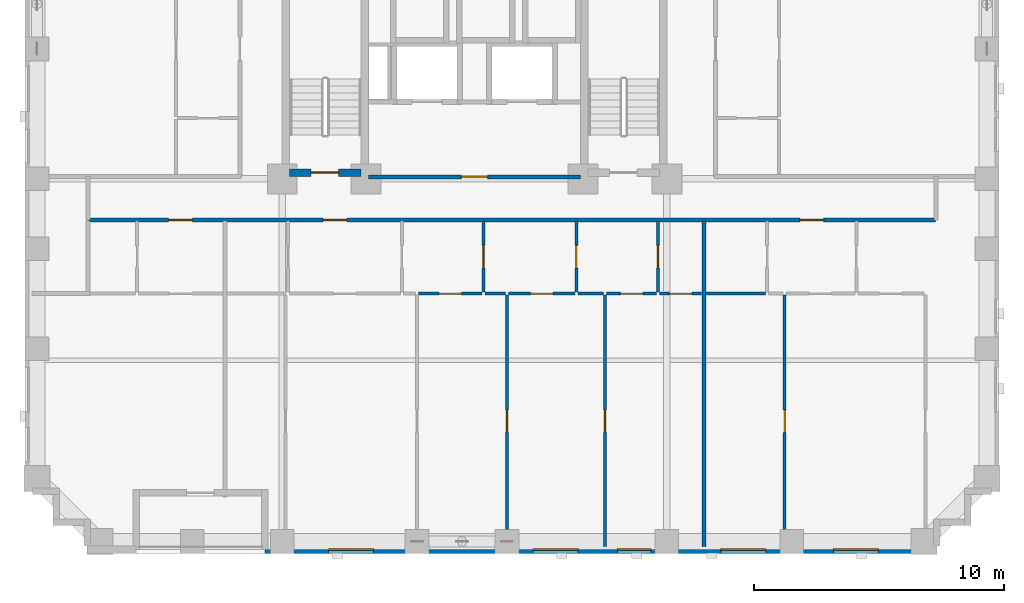
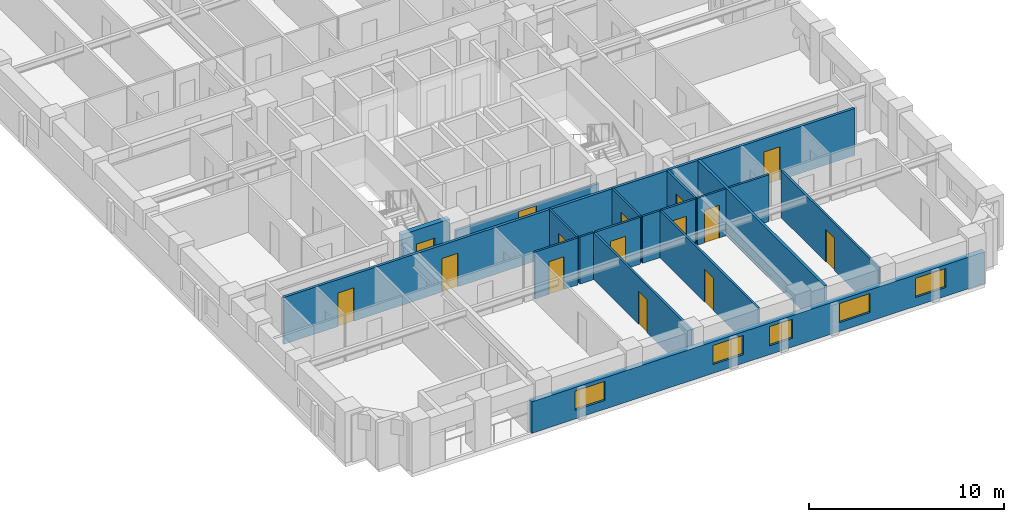
# One storey, part 3 of 13: 18 walls, 15 doors, 5 windows, 20 openings.
"""IFC4 building model written with IfcOpenShell, lengths in metres."""

from ifc_helpers import new_model, si_unit, derived_unit, direction, frame, frame_2d, origin, place, context, subcontext, project, spatial, rectangle, extrude, material, layer, layer_set, type_object, element, fill, save


model = new_model("IFC4")

# Units and contexts
model_context = context("Model", 3, precision=1e-05, world=origin(), true_north=direction((0.0, 1.0)))
body_context = subcontext(model_context, "Body", "Model", "MODEL_VIEW")
ifc_project = project(units=[si_unit("LENGTHUNIT", "METRE"), si_unit("AREAUNIT", "SQUARE_METRE"), si_unit("VOLUMEUNIT", "CUBIC_METRE"), si_unit("PLANEANGLEUNIT", "RADIAN"), si_unit("MASSUNIT", "GRAM", prefix="KILO"), derived_unit("THERMALTRANSMITTANCEUNIT", [(si_unit("MASSUNIT", "GRAM", prefix="KILO"), 1), (si_unit("TIMEUNIT", "SECOND"), -3), (si_unit("THERMODYNAMICTEMPERATUREUNIT", "KELVIN"), -1)])], contexts=[model_context])

# Site, building, storey
site_placement = place(None, origin())
site = spatial("IfcSite", under=ifc_project, at=site_placement, CompositionType="ELEMENT")
building_placement = place(site_placement, origin())
building = spatial("IfcBuilding", under=site, at=building_placement, Name="Korrvale Station Residences", CompositionType="ELEMENT")
storey_placement = place(building_placement, frame((0.0, 0.0, 35.39990234375)))
storey = spatial("IfcBuildingStorey", under=building, at=storey_placement, Name="L08", CompositionType="ELEMENT", Elevation=35.39990234375)

# Wall, opening, door
ifc_material_1 = material(Name="Concrete C70/85", Category="concrete")
ifc_layer_1 = layer(ifc_material_1, 0.300048828125, Name="Concrete C70/85")
ifc_layer_set_1 = layer_set([ifc_layer_1], Name="Concrete C70/85")
wall_type_1 = type_object("IfcWallType", Name="WAL-CORE-300-C70", PredefinedType="SHEAR", material=ifc_layer_set_1)
wall_1_placement = place(storey_placement, frame((18.10009765625, 15.25, 0.0), z_axis=(0.0, 0.0, 1.0), x_axis=(1.0, 0.0, 0.0)))
wall_1 = element("IfcWall", 1, at=wall_1_placement, inside=storey, type_object=wall_type_1, Name="L08 ST-1 Core Shear Wall South", PredefinedType="SHEAR", context=body_context, shape_type="SweptSolid", body=[
    extrude(rectangle(XDim=2.849853515625, YDim=0.300048828125, at=frame_2d((1.4248046875, 0.0))), origin(), (0.0, 0.0, 1.0), 2.940185546875),
])
opening_1_placement = place(wall_1_placement, frame((0.860107421875, 0.0, 0.0)))
opening_1 = element("IfcOpeningElement", 2, at=opening_1_placement, cuts=wall_1, Name="Opening SD-1100", PredefinedType="OPENING", context=body_context, shape_type="SweptSolid", body=[
    extrude(rectangle(XDim=1.10009765625, YDim=2.050048828125, at=frame_2d((0.550048828125, 1.02490234375))), frame((0.0, 0.16015625, 0.0), z_axis=(0.0, -1.0, 0.0), x_axis=(1.0, 0.0, 0.0)), (0.0, 0.0, 1.0), 0.320068359375),
])
ifc_material_2 = material(Name="Hollow-metal fire-rated stair door with closer", Category="steel")
door_type_1 = type_object("IfcDoorType", Name="DR-STAIR-1100", OperationType="NOTDEFINED", PredefinedType="DOOR", material=ifc_material_2)
door_1_placement = place(opening_1_placement, origin())
door_1 = element("IfcDoor", 3, at=door_1_placement, inside=storey, type_object=door_type_1, Name="L08 ST-1 Exit Stair Door", OperationType="SINGLE_SWING_LEFT", OverallHeight=2.050048828125, OverallWidth=1.10009765625, PredefinedType="DOOR", context=body_context, shape_type="SweptSolid", body=[
    extrude(rectangle(XDim=1.10009765625, YDim=2.050048828125, at=frame_2d((0.550048828125, 1.02490234375))), frame((0.0, 0.02490234375, 0.0), z_axis=(0.0, -1.0, 0.0), x_axis=(1.0, 0.0, 0.0)), (0.0, 0.0, 1.0), 0.050048828125),
])
fill(opening_1, door_1)

# Wall, openings, windows
ifc_material_3 = material(Name="Precast concrete C45/55", Category="concrete")
ifc_layer_2 = layer(ifc_material_3, 0.300048828125, Name="Precast concrete C45/55")
ifc_layer_set_2 = layer_set([ifc_layer_2], Name="Precast concrete C45/55")
wall_type_2 = type_object("IfcWallType", Name="WAL-EXT-PC300", PredefinedType="SOLIDWALL", material=ifc_layer_set_2)
wall_2_placement = place(storey_placement, frame((44.0, 0.14990234375, 0.0), z_axis=(0.0, 0.0, 1.0), x_axis=(-1.0, 0.0, 0.0)))
wall_2 = element("IfcWall", 4, at=wall_2_placement, inside=storey, type_object=wall_type_2, Name="L08 South Exterior Precast Wall 1", PredefinedType="SOLIDWALL", context=body_context, shape_type="SweptSolid", body=[
    extrude(rectangle(XDim=26.89990234375, YDim=0.300048828125, at=frame_2d((13.449951171875, 0.0))), origin(), (0.0, 0.0, 1.0), 1.97509765625),
])
opening_2_placement = place(wall_2_placement, frame((22.5439453125, 0.0, 0.550048828125)))
opening_2 = element("IfcOpeningElement", 5, at=opening_2_placement, cuts=wall_2, Name="Opening W-09", PredefinedType="OPENING", context=body_context, shape_type="SweptSolid", body=[
    extrude(rectangle(XDim=1.800048828125, YDim=1.199951171875, at=frame_2d((0.89990234375, 0.60009765625))), frame((0.0, 0.16015625, 0.0), z_axis=(0.0, -1.0, 0.0), x_axis=(1.0, 0.0, 0.0)), (0.0, 0.0, 1.0), 0.320068359375),
])
opening_3_placement = place(wall_2_placement, frame((14.35302734375, 0.0, 0.550048828125)))
opening_3 = element("IfcOpeningElement", 6, at=opening_3_placement, cuts=wall_2, Name="Opening W-09", PredefinedType="OPENING", context=body_context, shape_type="SweptSolid", body=[
    extrude(rectangle(XDim=1.800048828125, YDim=1.199951171875, at=frame_2d((0.89990234375, 0.60009765625))), frame((0.0, 0.16015625, 0.0), z_axis=(0.0, -1.0, 0.0), x_axis=(1.0, 0.0, 0.0)), (0.0, 0.0, 1.0), 0.320068359375),
])
opening_4_placement = place(wall_2_placement, frame((11.43505859375, 0.0, 0.550048828125)))
opening_4 = element("IfcOpeningElement", 7, at=opening_4_placement, cuts=wall_2, Name="Opening W-10", PredefinedType="OPENING", context=body_context, shape_type="SweptSolid", body=[
    extrude(rectangle(XDim=1.35009765625, YDim=1.199951171875, at=frame_2d((0.675048828125, 0.60009765625))), frame((0.0, 0.16015625, 0.0), z_axis=(0.0, -1.0, 0.0), x_axis=(1.0, 0.0, 0.0)), (0.0, 0.0, 1.0), 0.320068359375),
])
opening_5_placement = place(wall_2_placement, frame((6.839111328125, 0.0, 0.550048828125)))
opening_5 = element("IfcOpeningElement", 8, at=opening_5_placement, cuts=wall_2, Name="Opening W-09", PredefinedType="OPENING", context=body_context, shape_type="SweptSolid", body=[
    extrude(rectangle(XDim=1.800048828125, YDim=1.199951171875, at=frame_2d((0.89990234375, 0.60009765625))), frame((0.0, 0.16015625, 0.0), z_axis=(0.0, -1.0, 0.0), x_axis=(1.0, 0.0, 0.0)), (0.0, 0.0, 1.0), 0.320068359375),
])
opening_6_placement = place(wall_2_placement, frame((2.3310546875, 0.0, 0.550048828125)))
opening_6 = element("IfcOpeningElement", 9, at=opening_6_placement, cuts=wall_2, Name="Opening W-09", PredefinedType="OPENING", context=body_context, shape_type="SweptSolid", body=[
    extrude(rectangle(XDim=1.800048828125, YDim=1.199951171875, at=frame_2d((0.89990234375, 0.60009765625))), frame((0.0, 0.16015625, 0.0), z_axis=(0.0, -1.0, 0.0), x_axis=(1.0, 0.0, 0.0)), (0.0, 0.0, 1.0), 0.320068359375),
])
ifc_material_4 = material(Name="Thermally broken aluminium frame with triple low-e glazing", Category="aluminium")
window_type_1 = type_object("IfcWindowType", Name="WIN-W09", PartitioningType="DOUBLE_PANEL_VERTICAL", PredefinedType="WINDOW", material=ifc_material_4)
window_1_placement = place(opening_2_placement, origin())
window_1 = element("IfcWindow", 10, at=window_1_placement, inside=storey, type_object=window_type_1, Name="L08 Punched Window 03", OverallHeight=1.199951171875, OverallWidth=1.800048828125, PartitioningType="DOUBLE_PANEL_VERTICAL", PredefinedType="WINDOW", context=body_context, shape_type="SweptSolid", body=[
    extrude(rectangle(XDim=1.800048828125, YDim=1.199951171875, at=frame_2d((0.89990234375, 0.60009765625))), frame((0.0, 0.030029296875, 0.0), z_axis=(0.0, -1.0, 0.0), x_axis=(1.0, 0.0, 0.0)), (0.0, 0.0, 1.0), 0.06005859375),
])
fill(opening_2, window_1)
window_2_placement = place(opening_3_placement, origin())
window_2 = element("IfcWindow", 11, at=window_2_placement, inside=storey, type_object=window_type_1, Name="L08 Punched Window 04", OverallHeight=1.199951171875, OverallWidth=1.800048828125, PartitioningType="DOUBLE_PANEL_VERTICAL", PredefinedType="WINDOW", context=body_context, shape_type="SweptSolid", body=[
    extrude(rectangle(XDim=1.800048828125, YDim=1.199951171875, at=frame_2d((0.89990234375, 0.60009765625))), frame((0.0, 0.030029296875, 0.0), z_axis=(0.0, -1.0, 0.0), x_axis=(1.0, 0.0, 0.0)), (0.0, 0.0, 1.0), 0.06005859375),
])
fill(opening_3, window_2)
window_3_placement = place(opening_5_placement, origin())
window_3 = element("IfcWindow", 12, at=window_3_placement, inside=storey, type_object=window_type_1, Name="L08 Punched Window 06", OverallHeight=1.199951171875, OverallWidth=1.800048828125, PartitioningType="DOUBLE_PANEL_VERTICAL", PredefinedType="WINDOW", context=body_context, shape_type="SweptSolid", body=[
    extrude(rectangle(XDim=1.800048828125, YDim=1.199951171875, at=frame_2d((0.89990234375, 0.60009765625))), frame((0.0, 0.030029296875, 0.0), z_axis=(0.0, -1.0, 0.0), x_axis=(1.0, 0.0, 0.0)), (0.0, 0.0, 1.0), 0.06005859375),
])
fill(opening_5, window_3)
window_4_placement = place(opening_6_placement, origin())
window_4 = element("IfcWindow", 13, at=window_4_placement, inside=storey, type_object=window_type_1, Name="L08 Punched Window 07", OverallHeight=1.199951171875, OverallWidth=1.800048828125, PartitioningType="DOUBLE_PANEL_VERTICAL", PredefinedType="WINDOW", context=body_context, shape_type="SweptSolid", body=[
    extrude(rectangle(XDim=1.800048828125, YDim=1.199951171875, at=frame_2d((0.89990234375, 0.60009765625))), frame((0.0, 0.030029296875, 0.0), z_axis=(0.0, -1.0, 0.0), x_axis=(1.0, 0.0, 0.0)), (0.0, 0.0, 1.0), 0.06005859375),
])
fill(opening_6, window_4)
window_type_2 = type_object("IfcWindowType", Name="WIN-W10", PartitioningType="SINGLE_PANEL", PredefinedType="WINDOW", material=ifc_material_4)
window_5_placement = place(opening_4_placement, origin())
window_5 = element("IfcWindow", 14, at=window_5_placement, inside=storey, type_object=window_type_2, Name="L08 Punched Window 05", OverallHeight=1.199951171875, OverallWidth=1.35009765625, PartitioningType="SINGLE_PANEL", PredefinedType="WINDOW", context=body_context, shape_type="SweptSolid", body=[
    extrude(rectangle(XDim=1.35009765625, YDim=1.199951171875, at=frame_2d((0.675048828125, 0.60009765625))), frame((0.0, 0.030029296875, 0.0), z_axis=(0.0, -1.0, 0.0), x_axis=(1.0, 0.0, 0.0)), (0.0, 0.0, 1.0), 0.06005859375),
])
fill(opening_4, window_5)

# Wall, opening, door
ifc_material_5 = material(Name="Acoustic steel-stud gypsum board partition", Category="steel")
ifc_layer_3 = layer(ifc_material_5, 0.1201171875, Name="Acoustic steel-stud gypsum board partition")
ifc_layer_set_3 = layer_set([ifc_layer_3], Name="Acoustic steel-stud gypsum board partition")
wall_type_3 = type_object("IfcWallType", Name="WAL-PART-125", PredefinedType="PARTITIONING", material=ifc_layer_set_3)
wall_3_placement = place(storey_placement, frame((25.85595703125, 10.4599609375, 0.0), z_axis=(0.0, 0.0, 1.0), x_axis=(0.0, 1.0, 0.0)))
wall_3 = element("IfcWall", 15, at=wall_3_placement, inside=storey, type_object=wall_type_3, Name="L08 Suite Partition U02-V23", PredefinedType="PARTITIONING", context=body_context, shape_type="SweptSolid", body=[
    extrude(rectangle(XDim=2.85009765625, YDim=0.1201171875, at=frame_2d((1.425048828125, 0.0))), origin(), (0.0, 0.0, 1.0), 2.940185546875),
])
opening_7_placement = place(wall_3_placement, frame((0.97509765625, 0.0, 0.0)))
opening_7 = element("IfcOpeningElement", 16, at=opening_7_placement, cuts=wall_3, Name="Opening DI-900", PredefinedType="OPENING", context=body_context, shape_type="SweptSolid", body=[
    extrude(rectangle(XDim=0.89990234375, YDim=2.050048828125, at=frame_2d((0.449951171875, 1.02490234375))), frame((0.0, 0.070068359375, 0.0), z_axis=(0.0, -1.0, 0.0), x_axis=(1.0, 0.0, 0.0)), (0.0, 0.0, 1.0), 0.14013671875),
])
ifc_material_6 = material(Name="Painted solid-core timber interior room door", Category="wood")
door_type_2 = type_object("IfcDoorType", Name="DR-INT-900", OperationType="NOTDEFINED", PredefinedType="DOOR", material=ifc_material_6)
door_2_placement = place(opening_7_placement, origin())
door_2 = element("IfcDoor", 17, at=door_2_placement, inside=storey, type_object=door_type_2, Name="L08 Apartment 2BR L08-U02 Utility and Laundry Room Door", OperationType="SINGLE_SWING_LEFT", OverallHeight=2.050048828125, OverallWidth=0.89990234375, PredefinedType="DOOR", context=body_context, shape_type="SweptSolid", body=[
    extrude(rectangle(XDim=0.89990234375, YDim=2.050048828125, at=frame_2d((0.449951171875, 1.02490234375))), frame((0.0, 0.02490234375, 0.0), z_axis=(0.0, -1.0, 0.0), x_axis=(1.0, 0.0, 0.0)), (0.0, 0.0, 1.0), 0.050048828125),
])
fill(opening_7, door_2)

wall_4_placement = place(storey_placement, frame((23.260009765625, 10.39990234375, 0.0), z_axis=(0.0, 0.0, 1.0), x_axis=(1.0, 0.0, 0.0)))
wall_4 = element("IfcWall", 18, at=wall_4_placement, inside=storey, type_object=wall_type_3, Name="L08 Suite Partition U02-H28", PredefinedType="PARTITIONING", context=body_context, shape_type="SweptSolid", body=[
    extrude(rectangle(XDim=2.535888671875, YDim=0.1201171875, at=frame_2d((1.26806640625, 0.0))), origin(), (0.0, 0.0, 1.0), 2.940185546875),
])
opening_8_placement = place(wall_4_placement, frame((0.818115234375, 0.0, 0.0)))
opening_8 = element("IfcOpeningElement", 19, at=opening_8_placement, cuts=wall_4, Name="Opening DI-900", PredefinedType="OPENING", context=body_context, shape_type="SweptSolid", body=[
    extrude(rectangle(XDim=0.89990234375, YDim=2.050048828125, at=frame_2d((0.449951171875, 1.02490234375))), frame((0.0, 0.070068359375, 0.0), z_axis=(0.0, -1.0, 0.0), x_axis=(1.0, 0.0, 0.0)), (0.0, 0.0, 1.0), 0.14013671875),
])
door_3_placement = place(opening_8_placement, origin())
door_3 = element("IfcDoor", 20, at=door_3_placement, inside=storey, type_object=door_type_2, Name="L08 Apartment 2BR L08-U02 Utility and Laundry Room Door", OperationType="SINGLE_SWING_RIGHT", OverallHeight=2.050048828125, OverallWidth=0.89990234375, PredefinedType="DOOR", context=body_context, shape_type="SweptSolid", body=[
    extrude(rectangle(XDim=0.89990234375, YDim=2.050048828125, at=frame_2d((0.449951171875, 1.02490234375))), frame((0.0, 0.02490234375, 0.0), z_axis=(0.0, -1.0, 0.0), x_axis=(1.0, 0.0, 0.0)), (0.0, 0.0, 1.0), 0.050048828125),
])
fill(opening_8, door_3)

wall_5_placement = place(storey_placement, frame((29.575927734375, 10.4599609375, 0.0), z_axis=(0.0, 0.0, 1.0), x_axis=(0.0, 1.0, 0.0)))
wall_5 = element("IfcWall", 21, at=wall_5_placement, inside=storey, type_object=wall_type_3, Name="L08 Suite Partition U02-V34", PredefinedType="PARTITIONING", context=body_context, shape_type="SweptSolid", body=[
    extrude(rectangle(XDim=2.85009765625, YDim=0.1201171875, at=frame_2d((1.425048828125, 0.0))), origin(), (0.0, 0.0, 1.0), 2.940185546875),
])
opening_9_placement = place(wall_5_placement, frame((0.97509765625, 0.0, 0.0)))
opening_9 = element("IfcOpeningElement", 22, at=opening_9_placement, cuts=wall_5, Name="Opening DI-900", PredefinedType="OPENING", context=body_context, shape_type="SweptSolid", body=[
    extrude(rectangle(XDim=0.89990234375, YDim=2.050048828125, at=frame_2d((0.449951171875, 1.02490234375))), frame((0.0, 0.070068359375, 0.0), z_axis=(0.0, -1.0, 0.0), x_axis=(1.0, 0.0, 0.0)), (0.0, 0.0, 1.0), 0.14013671875),
])
door_4_placement = place(opening_9_placement, origin())
door_4 = element("IfcDoor", 23, at=door_4_placement, inside=storey, type_object=door_type_2, Name="L08 Apartment 2BR L08-U02 Storage Closet 2 Door", OperationType="SINGLE_SWING_LEFT", OverallHeight=2.050048828125, OverallWidth=0.89990234375, PredefinedType="DOOR", context=body_context, shape_type="SweptSolid", body=[
    extrude(rectangle(XDim=0.89990234375, YDim=2.050048828125, at=frame_2d((0.449951171875, 1.02490234375))), frame((0.0, 0.02490234375, 0.0), z_axis=(0.0, -1.0, 0.0), x_axis=(1.0, 0.0, 0.0)), (0.0, 0.0, 1.0), 0.050048828125),
])
fill(opening_9, door_4)

# Wall
wall_6_placement = place(storey_placement, frame((25.916015625, 10.39990234375, 0.0), z_axis=(0.0, 0.0, 1.0), x_axis=(1.0, 0.0, 0.0)))
element("IfcWall", 24, at=wall_6_placement, inside=storey, type_object=wall_type_3, Name="L08 Suite Partition U02-H38", PredefinedType="PARTITIONING", context=body_context, shape_type="SweptSolid", body=[
    extrude(rectangle(XDim=0.823974609375, YDim=0.1201171875, at=frame_2d((0.412109375, 0.0))), origin(), (0.0, 0.0, 1.0), 2.940185546875),
])

# Wall, opening, door
wall_7_placement = place(storey_placement, frame((26.860107421875, 10.39990234375, 0.0), z_axis=(0.0, 0.0, 1.0), x_axis=(1.0, 0.0, 0.0)))
wall_7 = element("IfcWall", 25, at=wall_7_placement, inside=storey, type_object=wall_type_3, Name="L08 Suite Partition U02-H39", PredefinedType="PARTITIONING", context=body_context, shape_type="SweptSolid", body=[
    extrude(rectangle(XDim=2.656005859375, YDim=0.1201171875, at=frame_2d((1.328125, 0.0))), origin(), (0.0, 0.0, 1.0), 2.940185546875),
])
opening_10_placement = place(wall_7_placement, frame((0.8779296875, 0.0, 0.0)))
opening_10 = element("IfcOpeningElement", 26, at=opening_10_placement, cuts=wall_7, Name="Opening DI-900", PredefinedType="OPENING", context=body_context, shape_type="SweptSolid", body=[
    extrude(rectangle(XDim=0.89990234375, YDim=2.050048828125, at=frame_2d((0.449951171875, 1.02490234375))), frame((0.0, 0.070068359375, 0.0), z_axis=(0.0, -1.0, 0.0), x_axis=(1.0, 0.0, 0.0)), (0.0, 0.0, 1.0), 0.14013671875),
])
door_5_placement = place(opening_10_placement, origin())
door_5 = element("IfcDoor", 27, at=door_5_placement, inside=storey, type_object=door_type_2, Name="L08 Apartment 2BR L08-U02 Storage Closet 2 Door", OperationType="SINGLE_SWING_RIGHT", OverallHeight=2.050048828125, OverallWidth=0.89990234375, PredefinedType="DOOR", context=body_context, shape_type="SweptSolid", body=[
    extrude(rectangle(XDim=0.89990234375, YDim=2.050048828125, at=frame_2d((0.449951171875, 1.02490234375))), frame((0.0, 0.02490234375, 0.0), z_axis=(0.0, -1.0, 0.0), x_axis=(1.0, 0.0, 0.0)), (0.0, 0.0, 1.0), 0.050048828125),
])
fill(opening_10, door_5)

wall_8_placement = place(storey_placement, frame((32.845947265625, 10.4599609375, 0.0), z_axis=(0.0, 0.0, 1.0), x_axis=(0.0, 1.0, 0.0)))
wall_8 = element("IfcWall", 28, at=wall_8_placement, inside=storey, type_object=wall_type_3, Name="L08 Suite Partition U02-V45", PredefinedType="PARTITIONING", context=body_context, shape_type="SweptSolid", body=[
    extrude(rectangle(XDim=2.85009765625, YDim=0.1201171875, at=frame_2d((1.425048828125, 0.0))), origin(), (0.0, 0.0, 1.0), 2.940185546875),
])
opening_11_placement = place(wall_8_placement, frame((0.97509765625, 0.0, 0.0)))
opening_11 = element("IfcOpeningElement", 29, at=opening_11_placement, cuts=wall_8, Name="Opening DI-900", PredefinedType="OPENING", context=body_context, shape_type="SweptSolid", body=[
    extrude(rectangle(XDim=0.89990234375, YDim=2.050048828125, at=frame_2d((0.449951171875, 1.02490234375))), frame((0.0, 0.070068359375, 0.0), z_axis=(0.0, -1.0, 0.0), x_axis=(1.0, 0.0, 0.0)), (0.0, 0.0, 1.0), 0.14013671875),
])
door_6_placement = place(opening_11_placement, origin())
door_6 = element("IfcDoor", 30, at=door_6_placement, inside=storey, type_object=door_type_2, Name="L08 Apartment 2BR L08-U02 Storage Closet 3 Door", OperationType="SINGLE_SWING_LEFT", OverallHeight=2.050048828125, OverallWidth=0.89990234375, PredefinedType="DOOR", context=body_context, shape_type="SweptSolid", body=[
    extrude(rectangle(XDim=0.89990234375, YDim=2.050048828125, at=frame_2d((0.449951171875, 1.02490234375))), frame((0.0, 0.02490234375, 0.0), z_axis=(0.0, -1.0, 0.0), x_axis=(1.0, 0.0, 0.0)), (0.0, 0.0, 1.0), 0.050048828125),
])
fill(opening_11, door_6)

# Wall
wall_9_placement = place(storey_placement, frame((29.635986328125, 10.39990234375, 0.0), z_axis=(0.0, 0.0, 1.0), x_axis=(1.0, 0.0, 0.0)))
element("IfcWall", 31, at=wall_9_placement, inside=storey, type_object=wall_type_3, Name="L08 Suite Partition U02-H49", PredefinedType="PARTITIONING", context=body_context, shape_type="SweptSolid", body=[
    extrude(rectangle(XDim=1.031982421875, YDim=0.1201171875, at=frame_2d((0.51611328125, 0.0))), origin(), (0.0, 0.0, 1.0), 2.940185546875),
])

# Wall, opening, door
wall_10_placement = place(storey_placement, frame((30.7880859375, 10.39990234375, 0.0), z_axis=(0.0, 0.0, 1.0), x_axis=(1.0, 0.0, 0.0)))
wall_10 = element("IfcWall", 32, at=wall_10_placement, inside=storey, type_object=wall_type_3, Name="L08 Suite Partition U02-H410", PredefinedType="PARTITIONING", context=body_context, shape_type="SweptSolid", body=[
    extrude(rectangle(XDim=1.997802734375, YDim=0.1201171875, at=frame_2d((0.9990234375, 0.0))), origin(), (0.0, 0.0, 1.0), 2.940185546875),
])
opening_12_placement = place(wall_10_placement, frame((0.549072265625, 0.0, 0.0)))
opening_12 = element("IfcOpeningElement", 33, at=opening_12_placement, cuts=wall_10, Name="Opening DI-900", PredefinedType="OPENING", context=body_context, shape_type="SweptSolid", body=[
    extrude(rectangle(XDim=0.89990234375, YDim=2.050048828125, at=frame_2d((0.449951171875, 1.02490234375))), frame((0.0, 0.070068359375, 0.0), z_axis=(0.0, -1.0, 0.0), x_axis=(1.0, 0.0, 0.0)), (0.0, 0.0, 1.0), 0.14013671875),
])
door_7_placement = place(opening_12_placement, origin())
door_7 = element("IfcDoor", 34, at=door_7_placement, inside=storey, type_object=door_type_2, Name="L08 Apartment 2BR L08-U02 Storage Closet 3 Door", OperationType="SINGLE_SWING_RIGHT", OverallHeight=2.050048828125, OverallWidth=0.89990234375, PredefinedType="DOOR", context=body_context, shape_type="SweptSolid", body=[
    extrude(rectangle(XDim=0.89990234375, YDim=2.050048828125, at=frame_2d((0.449951171875, 1.02490234375))), frame((0.0, 0.02490234375, 0.0), z_axis=(0.0, -1.0, 0.0), x_axis=(1.0, 0.0, 0.0)), (0.0, 0.0, 1.0), 0.050048828125),
])
fill(opening_12, door_7)

wall_11_placement = place(storey_placement, frame((32.906005859375, 10.39990234375, 0.0), z_axis=(0.0, 0.0, 1.0), x_axis=(1.0, 0.0, 0.0)))
wall_11 = element("IfcWall", 35, at=wall_11_placement, inside=storey, type_object=wall_type_3, Name="L08 Suite Partition U02-H510", PredefinedType="PARTITIONING", context=body_context, shape_type="SweptSolid", body=[
    extrude(rectangle(XDim=1.68994140625, YDim=0.1201171875, at=frame_2d((0.844970703125, 0.0))), origin(), (0.0, 0.0, 1.0), 2.940185546875),
])
opening_13_placement = place(wall_11_placement, frame((0.39501953125, 0.0, 0.0)))
opening_13 = element("IfcOpeningElement", 36, at=opening_13_placement, cuts=wall_11, Name="Opening DI-900", PredefinedType="OPENING", context=body_context, shape_type="SweptSolid", body=[
    extrude(rectangle(XDim=0.89990234375, YDim=2.050048828125, at=frame_2d((0.449951171875, 1.02490234375))), frame((0.0, 0.070068359375, 0.0), z_axis=(0.0, -1.0, 0.0), x_axis=(1.0, 0.0, 0.0)), (0.0, 0.0, 1.0), 0.14013671875),
])
door_8_placement = place(opening_13_placement, origin())
door_8 = element("IfcDoor", 37, at=door_8_placement, inside=storey, type_object=door_type_2, Name="L08 Apartment 2BR L08-U02 Storage Closet 4 Door", OperationType="SINGLE_SWING_LEFT", OverallHeight=2.050048828125, OverallWidth=0.89990234375, PredefinedType="DOOR", context=body_context, shape_type="SweptSolid", body=[
    extrude(rectangle(XDim=0.89990234375, YDim=2.050048828125, at=frame_2d((0.449951171875, 1.02490234375))), frame((0.0, 0.02490234375, 0.0), z_axis=(0.0, -1.0, 0.0), x_axis=(1.0, 0.0, 0.0)), (0.0, 0.0, 1.0), 0.050048828125),
])
fill(opening_13, door_8)

wall_12_placement = place(storey_placement, frame((26.800048828125, 0.280029296875, 0.0), z_axis=(0.0, 0.0, 1.0), x_axis=(0.0, 1.0, 0.0)))
wall_12 = element("IfcWall", 38, at=wall_12_placement, inside=storey, type_object=wall_type_3, Name="L08 Suite Partition U02-V89", PredefinedType="PARTITIONING", context=body_context, shape_type="SweptSolid", body=[
    extrude(rectangle(XDim=10.06005859375, YDim=0.1201171875, at=frame_2d((5.030029296875, 0.0))), origin(), (0.0, 0.0, 1.0), 2.940185546875),
])
opening_14_placement = place(wall_12_placement, frame((4.56494140625, 0.0, 0.0)))
opening_14 = element("IfcOpeningElement", 39, at=opening_14_placement, cuts=wall_12, Name="Opening DI-900", PredefinedType="OPENING", context=body_context, shape_type="SweptSolid", body=[
    extrude(rectangle(XDim=0.89990234375, YDim=2.050048828125, at=frame_2d((0.449951171875, 1.02490234375))), frame((0.0, 0.070068359375, 0.0), z_axis=(0.0, -1.0, 0.0), x_axis=(1.0, 0.0, 0.0)), (0.0, 0.0, 1.0), 0.14013671875),
])
door_9_placement = place(opening_14_placement, origin())
door_9 = element("IfcDoor", 40, at=door_9_placement, inside=storey, type_object=door_type_2, Name="L08 Apartment 2BR L08-U02 Wardrobe Storage Room Door", OperationType="SINGLE_SWING_RIGHT", OverallHeight=2.050048828125, OverallWidth=0.89990234375, PredefinedType="DOOR", context=body_context, shape_type="SweptSolid", body=[
    extrude(rectangle(XDim=0.89990234375, YDim=2.050048828125, at=frame_2d((0.449951171875, 1.02490234375))), frame((0.0, 0.02490234375, 0.0), z_axis=(0.0, -1.0, 0.0), x_axis=(1.0, 0.0, 0.0)), (0.0, 0.0, 1.0), 0.050048828125),
])
fill(opening_14, door_9)

wall_13_placement = place(storey_placement, frame((30.72802734375, 0.280029296875, 0.0), z_axis=(0.0, 0.0, 1.0), x_axis=(0.0, 1.0, 0.0)))
wall_13 = element("IfcWall", 41, at=wall_13_placement, inside=storey, type_object=wall_type_3, Name="L08 Suite Partition U02-V910", PredefinedType="PARTITIONING", context=body_context, shape_type="SweptSolid", body=[
    extrude(rectangle(XDim=10.06005859375, YDim=0.1201171875, at=frame_2d((5.030029296875, 0.0))), origin(), (0.0, 0.0, 1.0), 2.940185546875),
])
opening_15_placement = place(wall_13_placement, frame((4.56494140625, 0.0, 0.0)))
opening_15 = element("IfcOpeningElement", 42, at=opening_15_placement, cuts=wall_13, Name="Opening DI-900", PredefinedType="OPENING", context=body_context, shape_type="SweptSolid", body=[
    extrude(rectangle(XDim=0.89990234375, YDim=2.050048828125, at=frame_2d((0.449951171875, 1.02490234375))), frame((0.0, 0.070068359375, 0.0), z_axis=(0.0, -1.0, 0.0), x_axis=(1.0, 0.0, 0.0)), (0.0, 0.0, 1.0), 0.14013671875),
])
door_10_placement = place(opening_15_placement, origin())
door_10 = element("IfcDoor", 43, at=door_10_placement, inside=storey, type_object=door_type_2, Name="L08 Apartment 2BR L08-U02 Bedroom 1 Door", OperationType="SINGLE_SWING_LEFT", OverallHeight=2.050048828125, OverallWidth=0.89990234375, PredefinedType="DOOR", context=body_context, shape_type="SweptSolid", body=[
    extrude(rectangle(XDim=0.89990234375, YDim=2.050048828125, at=frame_2d((0.449951171875, 1.02490234375))), frame((0.0, 0.02490234375, 0.0), z_axis=(0.0, -1.0, 0.0), x_axis=(1.0, 0.0, 0.0)), (0.0, 0.0, 1.0), 0.050048828125),
])
fill(opening_15, door_10)

# Wall
wall_14_placement = place(storey_placement, frame((34.756103515625, 10.39990234375, 0.0), z_axis=(0.0, 0.0, 1.0), x_axis=(1.0, 0.0, 0.0)))
element("IfcWall", 44, at=wall_14_placement, inside=storey, type_object=wall_type_3, Name="L08 Suite Partition U03-H03", PredefinedType="PARTITIONING", context=body_context, shape_type="SweptSolid", body=[
    extrude(rectangle(XDim=2.39990234375, YDim=0.1201171875, at=frame_2d((1.199951171875, 0.0))), origin(), (0.0, 0.0, 1.0), 2.940185546875),
])

# Wall, opening, door
wall_15_placement = place(storey_placement, frame((37.916015625, 0.280029296875, 0.0), z_axis=(0.0, 0.0, 1.0), x_axis=(0.0, 1.0, 0.0)))
wall_15 = element("IfcWall", 45, at=wall_15_placement, inside=storey, type_object=wall_type_3, Name="L08 Suite Partition U03-V34", PredefinedType="PARTITIONING", context=body_context, shape_type="SweptSolid", body=[
    extrude(rectangle(XDim=10.06005859375, YDim=0.1201171875, at=frame_2d((5.030029296875, 0.0))), origin(), (0.0, 0.0, 1.0), 2.940185546875),
])
opening_16_placement = place(wall_15_placement, frame((4.56494140625, 0.0, 0.0)))
opening_16 = element("IfcOpeningElement", 46, at=opening_16_placement, cuts=wall_15, Name="Opening DI-900", PredefinedType="OPENING", context=body_context, shape_type="SweptSolid", body=[
    extrude(rectangle(XDim=0.89990234375, YDim=2.050048828125, at=frame_2d((0.449951171875, 1.02490234375))), frame((0.0, 0.070068359375, 0.0), z_axis=(0.0, -1.0, 0.0), x_axis=(1.0, 0.0, 0.0)), (0.0, 0.0, 1.0), 0.14013671875),
])
door_11_placement = place(opening_16_placement, origin())
door_11 = element("IfcDoor", 47, at=door_11_placement, inside=storey, type_object=door_type_2, Name="L08 Studio Apartment L08-U03 Formal Dining Room Door", OperationType="SINGLE_SWING_RIGHT", OverallHeight=2.050048828125, OverallWidth=0.89990234375, PredefinedType="DOOR", context=body_context, shape_type="SweptSolid", body=[
    extrude(rectangle(XDim=0.89990234375, YDim=2.050048828125, at=frame_2d((0.449951171875, 1.02490234375))), frame((0.0, 0.02490234375, 0.0), z_axis=(0.0, -1.0, 0.0), x_axis=(1.0, 0.0, 0.0)), (0.0, 0.0, 1.0), 0.050048828125),
])
fill(opening_16, door_11)

ifc_material_7 = material(Name="Fire-rated twin-stud gypsum and mineral wool shaftwall assembly", Category="gypsum")
ifc_layer_4 = layer(ifc_material_7, 0.159912109375, Name="Fire-rated twin-stud gypsum and mineral wool shaftwall assembly")
ifc_layer_set_4 = layer_set([ifc_layer_4], Name="Fire-rated twin-stud gypsum and mineral wool shaftwall assembly")
wall_type_4 = type_object("IfcWallType", Name="WAL-PART-200", PredefinedType="PARTITIONING", material=ifc_layer_set_4)
wall_16_placement = place(storey_placement, frame((21.25, 15.080078125, 0.0), z_axis=(0.0, 0.0, 1.0), x_axis=(1.0, 0.0, 0.0)))
wall_16 = element("IfcWall", 48, at=wall_16_placement, inside=storey, type_object=wall_type_4, Name="L08 Core Partition CW-FFL-S", PredefinedType="PARTITIONING", context=body_context, shape_type="SweptSolid", body=[
    extrude(rectangle(XDim=8.5, YDim=0.159912109375, at=frame_2d((4.25, 0.0))), origin(), (0.0, 0.0, 1.0), 2.155029296875),
])
opening_17_placement = place(wall_16_placement, frame((3.72509765625, 0.0, 0.0)))
opening_17 = element("IfcOpeningElement", 49, at=opening_17_placement, cuts=wall_16, Name="Opening FD-1050", PredefinedType="OPENING", context=body_context, shape_type="SweptSolid", body=[
    extrude(rectangle(XDim=1.050048828125, YDim=2.050048828125, at=frame_2d((0.52490234375, 1.02490234375))), frame((0.0, 0.08984375, 0.0), z_axis=(0.0, -1.0, 0.0), x_axis=(1.0, 0.0, 0.0)), (0.0, 0.0, 1.0), 0.179931640625),
])
ifc_material_8 = material(Name="Fire-rated mineral-core timber lobby door", Category="wood")
door_type_3 = type_object("IfcDoorType", Name="DR-CORE-1050", OperationType="NOTDEFINED", PredefinedType="DOOR", material=ifc_material_8)
door_12_placement = place(opening_17_placement, origin())
door_12 = element("IfcDoor", 50, at=door_12_placement, inside=storey, type_object=door_type_3, Name="L08 Firefighting Lobby Entry Door", OperationType="SINGLE_SWING_LEFT", OverallHeight=2.050048828125, OverallWidth=1.050048828125, PredefinedType="DOOR", context=body_context, shape_type="SweptSolid", body=[
    extrude(rectangle(XDim=1.050048828125, YDim=2.050048828125, at=frame_2d((0.52490234375, 1.02490234375))), frame((0.0, 0.02490234375, 0.0), z_axis=(0.0, -1.0, 0.0), x_axis=(1.0, 0.0, 0.0)), (0.0, 0.0, 1.0), 0.050048828125),
])
fill(opening_17, door_12)

# Wall
wall_17_placement = place(storey_placement, frame((34.696044921875, 0.280029296875, 0.0), z_axis=(0.0, 0.0, 1.0), x_axis=(0.0, 1.0, 0.0)))
element("IfcWall", 51, at=wall_17_placement, inside=storey, type_object=wall_type_4, Name="L08 Demising Wall U03-W", PredefinedType="PARTITIONING", context=body_context, shape_type="SweptSolid", body=[
    extrude(rectangle(XDim=13.030029296875, YDim=0.159912109375, at=frame_2d((6.51513671875, 0.0))), origin(), (0.0, 0.0, 1.0), 2.940185546875),
])

# Wall, openings, doors
wall_18_placement = place(storey_placement, frame((10.050048828125, 13.35009765625, 0.0), z_axis=(0.0, 0.0, 1.0), x_axis=(1.0, 0.0, 0.0)))
wall_18 = element("IfcWall", 52, at=wall_18_placement, inside=storey, type_object=wall_type_4, Name="L08 Rated Corridor Wall S", PredefinedType="PARTITIONING", context=body_context, shape_type="SweptSolid", body=[
    extrude(rectangle(XDim=33.89990234375, YDim=0.159912109375, at=frame_2d((16.949951171875, 0.0))), origin(), (0.0, 0.0, 1.0), 2.940185546875),
])
opening_18_placement = place(wall_18_placement, frame((3.202880859375, 0.0, 0.0)))
opening_18 = element("IfcOpeningElement", 53, at=opening_18_placement, cuts=wall_18, Name="Opening UD-950", PredefinedType="OPENING", context=body_context, shape_type="SweptSolid", body=[
    extrude(rectangle(XDim=0.949951171875, YDim=2.10009765625, at=frame_2d((0.47509765625, 1.050048828125))), frame((0.0, 0.08984375, 0.0), z_axis=(0.0, -1.0, 0.0), x_axis=(1.0, 0.0, 0.0)), (0.0, 0.0, 1.0), 0.179931640625),
])
opening_19_placement = place(wall_18_placement, frame((9.389892578125, 0.0, 0.0)))
opening_19 = element("IfcOpeningElement", 54, at=opening_19_placement, cuts=wall_18, Name="Opening UD-950", PredefinedType="OPENING", context=body_context, shape_type="SweptSolid", body=[
    extrude(rectangle(XDim=0.949951171875, YDim=2.10009765625, at=frame_2d((0.47509765625, 1.050048828125))), frame((0.0, 0.08984375, 0.0), z_axis=(0.0, -1.0, 0.0), x_axis=(1.0, 0.0, 0.0)), (0.0, 0.0, 1.0), 0.179931640625),
])
opening_20_placement = place(wall_18_placement, frame((28.47607421875, 0.0, 0.0)))
opening_20 = element("IfcOpeningElement", 55, at=opening_20_placement, cuts=wall_18, Name="Opening UD-950", PredefinedType="OPENING", context=body_context, shape_type="SweptSolid", body=[
    extrude(rectangle(XDim=0.949951171875, YDim=2.10009765625, at=frame_2d((0.47509765625, 1.050048828125))), frame((0.0, 0.08984375, 0.0), z_axis=(0.0, -1.0, 0.0), x_axis=(1.0, 0.0, 0.0)), (0.0, 0.0, 1.0), 0.179931640625),
])
ifc_material_9 = material(Name="Solid-core acoustic oak apartment entrance door", Category="timber")
door_type_4 = type_object("IfcDoorType", Name="DR-UNIT-950", OperationType="NOTDEFINED", PredefinedType="DOOR", material=ifc_material_9)
door_13_placement = place(opening_18_placement, origin())
door_13 = element("IfcDoor", 56, at=door_13_placement, inside=storey, type_object=door_type_4, Name="L08 Apartment L08-U01 Entrance Door", OperationType="SINGLE_SWING_RIGHT", OverallHeight=2.10009765625, OverallWidth=0.949951171875, PredefinedType="DOOR", context=body_context, shape_type="SweptSolid", body=[
    extrude(rectangle(XDim=0.949951171875, YDim=2.10009765625, at=frame_2d((0.47509765625, 1.050048828125))), frame((0.0, 0.02490234375, 0.0), z_axis=(0.0, -1.0, 0.0), x_axis=(1.0, 0.0, 0.0)), (0.0, 0.0, 1.0), 0.050048828125),
])
fill(opening_18, door_13)
door_14_placement = place(opening_19_placement, origin())
door_14 = element("IfcDoor", 57, at=door_14_placement, inside=storey, type_object=door_type_4, Name="L08 Apartment L08-U02 Entrance Door", OperationType="SINGLE_SWING_LEFT", OverallHeight=2.10009765625, OverallWidth=0.949951171875, PredefinedType="DOOR", context=body_context, shape_type="SweptSolid", body=[
    extrude(rectangle(XDim=0.949951171875, YDim=2.10009765625, at=frame_2d((0.47509765625, 1.050048828125))), frame((0.0, 0.02490234375, 0.0), z_axis=(0.0, -1.0, 0.0), x_axis=(1.0, 0.0, 0.0)), (0.0, 0.0, 1.0), 0.050048828125),
])
fill(opening_19, door_14)
door_15_placement = place(opening_20_placement, origin())
door_15 = element("IfcDoor", 58, at=door_15_placement, inside=storey, type_object=door_type_4, Name="L08 Apartment L08-U03 Entrance Door", OperationType="SINGLE_SWING_RIGHT", OverallHeight=2.10009765625, OverallWidth=0.949951171875, PredefinedType="DOOR", context=body_context, shape_type="SweptSolid", body=[
    extrude(rectangle(XDim=0.949951171875, YDim=2.10009765625, at=frame_2d((0.47509765625, 1.050048828125))), frame((0.0, 0.02490234375, 0.0), z_axis=(0.0, -1.0, 0.0), x_axis=(1.0, 0.0, 0.0)), (0.0, 0.0, 1.0), 0.050048828125),
])
fill(opening_20, door_15)

save(model, "model.ifc")
